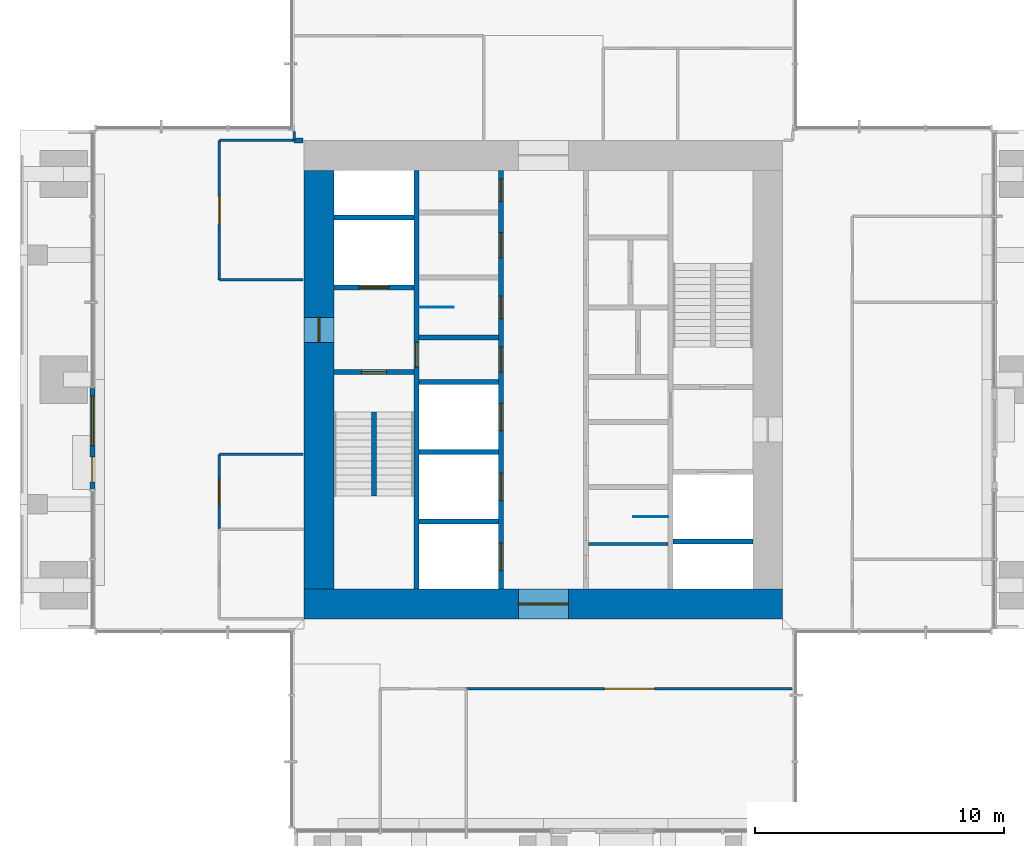
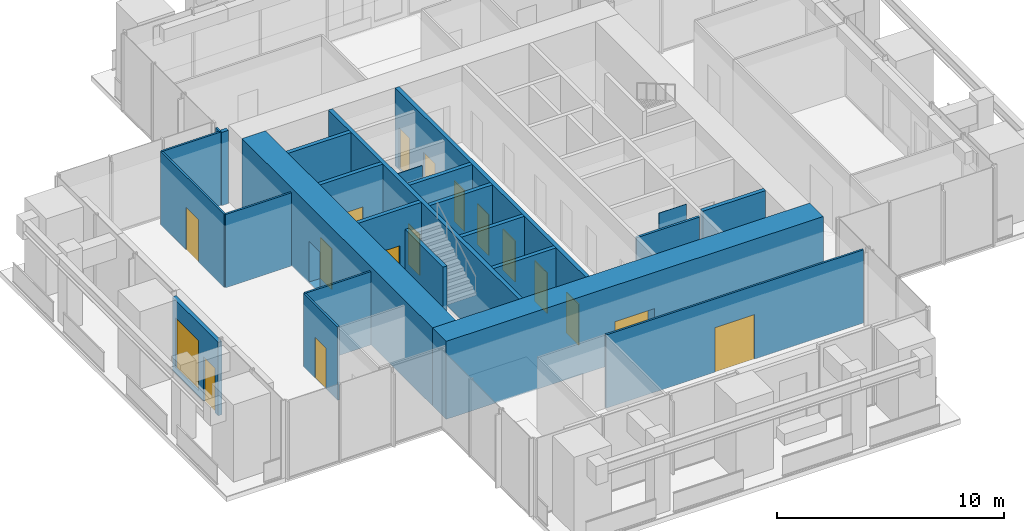
# One storey, part 7 of 12: 25 walls, 16 doors, 1 window, 17 openings.
"""IFC4 building model written with IfcOpenShell, lengths in metres."""

import ifcopenshell
import ifcopenshell.guid

model = None  # the IFC model being written
_history = None  # IfcOwnerHistory: only IFC2X3 demands one
_inside = {}  # id of a spatial element -> (the spatial element, [elements in it])
_under = {}  # id of a project, library or spatial element -> (it, [spatial elements below it])
_declared = {}  # id of a project -> (the project, [libraries it declares])
_typed = {}  # id of a type object -> (the type object, [elements of that type])
_made_of = {}  # id of a material, layer set ... -> (it, [elements and type objects made of it])


def new_model(schema):
    """Start an empty IFC model of exactly this schema.

    Asked for "IFC4X3", IfcOpenShell would pick the latest addendum, in which some entities
    have other attributes; the version numbers below select the first issue.
    IFC2X3 requires an IfcOwnerHistory on every rooted entity: one is made here for all.
    """
    global model, _history
    if schema == "IFC4X3":
        model = ifcopenshell.file(schema_version=(4, 3, 0, 0))
    else:
        model = ifcopenshell.file(schema=schema)
    _inside.clear()
    _under.clear()
    _declared.clear()
    _typed.clear()
    _made_of.clear()
    _history = None
    if model.schema == "IFC2X3":
        org = make("IfcOrganization", Name="unknown")
        user = make(
            "IfcPersonAndOrganization",
            ThePerson=make("IfcPerson", FamilyName="unknown"),
            TheOrganization=org,
        )
        app = make(
            "IfcApplication",
            ApplicationDeveloper=org,
            Version="unknown",
            ApplicationFullName="unknown",
            ApplicationIdentifier="unknown",
        )
        _history = make(
            "IfcOwnerHistory",
            OwningUser=user,
            OwningApplication=app,
            ChangeAction="ADDED",
            CreationDate=0,
        )
    return model


def make(cls, **values):
    """One entity of the class cls with the attributes given. An attribute that is None is left unset."""
    return model.create_entity(
        cls, **{name: value for name, value in values.items() if value is not None}
    )


def rooted(cls, **values):
    """An entity with a GlobalId (a new one), such as an element, a storey or a relation."""
    return make(cls, GlobalId=ifcopenshell.guid.new(), OwnerHistory=_history, **values)


def si_unit(unit_type, name, prefix=None):
    """IfcSIUnit, for example si_unit("LENGTHUNIT", "METRE", prefix="MILLI")."""
    return make("IfcSIUnit", UnitType=unit_type, Prefix=prefix, Name=name)


def assignment(units):
    """IfcUnitAssignment: the units of a project."""
    return None if units is None else make("IfcUnitAssignment", Units=units)


def point(xyz):
    """IfcCartesianPoint."""
    return None if xyz is None else make("IfcCartesianPoint", Coordinates=xyz)


def direction(xyz):
    """IfcDirection."""
    return None if xyz is None else make("IfcDirection", DirectionRatios=xyz)


def frame(location, z_axis=None, x_axis=None):
    """IfcAxis2Placement3D, a coordinate frame: its origin and axes. An axis left out is left unset."""
    return make(
        "IfcAxis2Placement3D",
        Location=point(location),
        Axis=direction(z_axis),
        RefDirection=direction(x_axis),
    )


def frame_2d(location, x_axis=None):
    """IfcAxis2Placement2D, a coordinate frame in the plane: its origin and x axis."""
    return make(
        "IfcAxis2Placement2D", Location=point(location), RefDirection=direction(x_axis)
    )


def origin():
    """The frame at (0, 0, 0) with its axes left unset."""
    return frame((0.0, 0.0, 0.0))


def place(relative_to, where):
    """IfcLocalPlacement: puts the frame where relative to a parent placement (None: the world)."""
    return make(
        "IfcLocalPlacement", PlacementRelTo=relative_to, RelativePlacement=where
    )


def context(
    kind, dimensions, precision=None, world=None, true_north=None, identifier=None
):
    """IfcGeometricRepresentationContext, for example the 3D "Model" context."""
    return make(
        "IfcGeometricRepresentationContext",
        ContextIdentifier=identifier,
        ContextType=kind,
        CoordinateSpaceDimension=dimensions,
        Precision=precision,
        WorldCoordinateSystem=world,
        TrueNorth=true_north,
    )


def subcontext(parent, identifier, kind, view, scale=None):
    """IfcGeometricRepresentationSubContext, for example "Body" below "Model"."""
    return make(
        "IfcGeometricRepresentationSubContext",
        ContextIdentifier=identifier,
        ContextType=kind,
        ParentContext=parent,
        TargetScale=scale,
        TargetView=view,
    )


def project(units=None, contexts=None):
    """IfcProject with its units and contexts."""
    return rooted(
        "IfcProject",
        Name="project",
        RepresentationContexts=contexts,
        UnitsInContext=assignment(units),
    )


def spatial(cls, under=None, at=None, **own):
    """A site, building, storey or space (cls), placed at a placement, below another one or the project."""
    s = rooted(cls, ObjectPlacement=at, **own)
    if under is not None:
        _under.setdefault(under.id(), (under, []))[1].append(s)
    return s


def profile(cls, at=None, kind="AREA", **sizes):
    """A parametric profile (cls). Its sizes go by their IFC names, for example OverallWidth=200.0."""
    return make(cls, ProfileType=kind, Position=at, **sizes)


def rectangle(**sizes):
    """IfcRectangleProfileDef."""
    return profile("IfcRectangleProfileDef", **sizes)


def extrude(swept, where, along, depth):
    """IfcExtrudedAreaSolid: the profile swept, set in the frame where, extruded along a direction by depth."""
    return make(
        "IfcExtrudedAreaSolid",
        SweptArea=swept,
        Position=where,
        ExtrudedDirection=direction(along),
        Depth=depth,
    )


def shape(context_of_items, identifier, shape_type, items):
    """IfcShapeRepresentation: the items that make up one representation, for example the "Body"."""
    return make(
        "IfcShapeRepresentation",
        ContextOfItems=context_of_items,
        RepresentationIdentifier=identifier,
        RepresentationType=shape_type,
        Items=items,
    )


def material(Name=None, Category=None):
    """IfcMaterial."""
    return make("IfcMaterial", Name=Name, Category=Category)


def layer(
    of_material, thickness, ventilated=None, Name=None, Category=None, Priority=None
):
    """IfcMaterialLayer: one layer of a wall or slab, of a material (None: an air gap)."""
    return make(
        "IfcMaterialLayer",
        Material=of_material,
        LayerThickness=thickness,
        IsVentilated=ventilated,
        Name=Name,
        Category=Category,
        Priority=Priority,
    )


def layer_set(layers, Name=None):
    """IfcMaterialLayerSet."""
    return make("IfcMaterialLayerSet", MaterialLayers=layers, LayerSetName=Name)


def made_of(thing, what):
    """Note that an element or type object is made of a material, layer set ...; save() writes the relation."""
    if what is not None:
        _made_of.setdefault(what.id(), (what, []))[1].append(thing)
    return thing


def type_object(cls, material=None, **own):
    """A type object (cls), such as IfcWallType, which elements share."""
    return made_of(rooted(cls, **own), material)


def element(
    cls,
    number,
    at=None,
    inside=None,
    cuts=None,
    type_object=None,
    material=None,
    context=None,
    identifier="Body",
    shape_type=None,
    held_by="IfcProductDefinitionShape",
    body=None,
    shapes=None,
    **own,
):
    """One element of the class cls, such as IfcWall. Its Tag is "e" and its number.

    at: its placement. inside: the storey or other place that contains it. cuts: it is an
    opening in that element (IfcRelVoidsElement). A single representation is given by context,
    identifier, shape_type and body (its items); several are given by shapes. held_by: the class
    of the entity that holds the representations. save() writes the other relations.
    """
    e = rooted(cls, Tag="e%d" % number, ObjectPlacement=at, **own)
    if body is not None:
        shapes = [shape(context, identifier, shape_type, body)]
    if shapes is not None:
        e.Representation = make(held_by, Representations=shapes)
    if inside is not None:
        _inside.setdefault(inside.id(), (inside, []))[1].append(e)
    if cuts is not None:
        rooted(
            "IfcRelVoidsElement", RelatingBuildingElement=cuts, RelatedOpeningElement=e
        )
    if type_object is not None:
        _typed.setdefault(type_object.id(), (type_object, []))[1].append(e)
    return made_of(e, material)


def fill(opening, filler):
    """IfcRelFillsElement: the door or window that sits in an opening."""
    return rooted(
        "IfcRelFillsElement",
        RelatingOpeningElement=opening,
        RelatedBuildingElement=filler,
    )


def aggregate(whole, parts):
    """IfcRelAggregates: a whole, such as a stair, and the parts it consists of."""
    return rooted("IfcRelAggregates", RelatingObject=whole, RelatedObjects=parts)


def save(model, path):
    """Write the relations noted so far, then the file.

    IfcRelAggregates (storeys below a building ...), IfcRelContainedInSpatialStructure (elements
    in a storey), IfcRelDefinesByType, IfcRelAssociatesMaterial and IfcRelDeclares: one each for
    every whole, place, type object, material and project.
    """
    for whole, parts in _under.values():
        aggregate(whole, parts)
    for where, things in _inside.values():
        rooted(
            "IfcRelContainedInSpatialStructure",
            RelatedElements=things,
            RelatingStructure=where,
        )
    for kind, things in _typed.values():
        rooted("IfcRelDefinesByType", RelatedObjects=things, RelatingType=kind)
    for what, things in _made_of.values():
        rooted("IfcRelAssociatesMaterial", RelatedObjects=things, RelatingMaterial=what)
    for by, libraries in _declared.values():
        rooted("IfcRelDeclares", RelatingContext=by, RelatedDefinitions=libraries)
    model.write(path)


model = new_model("IFC4")

# Units and contexts
model_context = context("Model", 3, precision=1e-05, world=origin(), true_north=direction((0.0, 1.0)))
body_context = subcontext(model_context, "Body", "Model", "MODEL_VIEW")
ifc_project = project(units=[si_unit("LENGTHUNIT", "METRE"), si_unit("AREAUNIT", "SQUARE_METRE"), si_unit("VOLUMEUNIT", "CUBIC_METRE"), si_unit("PLANEANGLEUNIT", "RADIAN"), si_unit("MASSUNIT", "GRAM", prefix="KILO")], contexts=[model_context])

# Site, building, storey
site_placement = place(None, origin())
site = spatial("IfcSite", under=ifc_project, at=site_placement, CompositionType="ELEMENT")
building_placement = place(site_placement, origin())
building = spatial("IfcBuilding", under=site, at=building_placement, Name="Svetlomir Tower", CompositionType="ELEMENT")
storey_placement = place(building_placement, frame((0.0, 0.0, 260.800048828125)))
storey = spatial("IfcBuildingStorey", under=building, at=storey_placement, Name="L62", CompositionType="ELEMENT", Elevation=260.800048828125)

# Wall
ifc_material_1 = material(Name="Gypsum board on twin steel studs", Category="steel")
ifc_layer_1 = layer(ifc_material_1, 0.199951171875)
ifc_layer_set_1 = layer_set([ifc_layer_1], Name="Gypsum board on twin steel studs")
wall_type_1 = type_object("IfcWallType", Name="ACOUSTIC PARTITION 200", PredefinedType="PARTITIONING", material=ifc_layer_set_1)
wall_1_placement = place(storey_placement, frame((11.0, 30.60009765625, 0.0), z_axis=(0.0, 0.0, 1.0), x_axis=(1.0, 0.0, 0.0)))
element("IfcWall", 1, at=wall_1_placement, inside=storey, type_object=wall_type_1, Name="Acoustic partition L62", PredefinedType="PARTITIONING", context=body_context, shape_type="SweptSolid", body=[
    extrude(rectangle(XDim=0.35009765625, YDim=0.199951171875, at=frame_2d((0.175048828125, 0.0))), origin(), (0.0, 0.0, 1.0), 3.949951171875),
])

# Wall, openings, door, window
ifc_material_2 = material(Name="Bronze anodised aluminium glazed screen", Category="aluminium")
ifc_layer_2 = layer(ifc_material_2, 0.199951171875)
ifc_layer_set_2 = layer_set([ifc_layer_2], Name="Bronze anodised aluminium glazed screen")
wall_type_2 = type_object("IfcWallType", Name="BALCONY SCREEN WALL 200", PredefinedType="USERDEFINED", material=ifc_layer_set_2)
wall_2_placement = place(storey_placement, frame((2.89990234375, 20.64990234375, 0.0), z_axis=(0.0, 0.0, 1.0), x_axis=(0.0, -1.0, 0.0)))
wall_2 = element("IfcWall", 2, at=wall_2_placement, inside=storey, type_object=wall_type_2, Name="Balcony screen W", ObjectType="GLAZED SCREEN", PredefinedType="USERDEFINED", context=body_context, shape_type="SweptSolid", body=[
    extrude(rectangle(XDim=4.0498046875, YDim=0.199951171875, at=frame_2d((2.02490234375, 0.0))), origin(), (0.0, 0.0, 1.0), 3.949951171875),
])
opening_1_placement = place(wall_2_placement, frame((2.75, 0.0, 0.0)))
opening_1 = element("IfcOpeningElement", 3, at=opening_1_placement, cuts=wall_2, Name="Opening BD", PredefinedType="OPENING", context=body_context, shape_type="SweptSolid", body=[
    extrude(rectangle(XDim=1.0, YDim=2.39990234375, at=frame_2d((0.5, 1.199951171875))), frame((0.0, 0.10986328125, 0.0), z_axis=(0.0, -1.0, 0.0), x_axis=(1.0, 0.0, 0.0)), (0.0, 0.0, 1.0), 0.219970703125),
])
opening_2_placement = place(wall_2_placement, frame((0.300048828125, 0.0, 0.300048828125)))
opening_2 = element("IfcOpeningElement", 4, at=opening_2_placement, cuts=wall_2, Name="Opening WS", PredefinedType="OPENING", context=body_context, shape_type="SweptSolid", body=[
    extrude(rectangle(XDim=2.0, YDim=2.699951171875, at=frame_2d((1.0, 1.35009765625))), frame((0.0, 0.10986328125, 0.0), z_axis=(0.0, -1.0, 0.0), x_axis=(1.0, 0.0, 0.0)), (0.0, 0.0, 1.0), 0.219970703125),
])
ifc_material_3 = material(Name="Bronze anodised aluminium glazed door", Category="aluminium")
door_type_1 = type_object("IfcDoorType", Name="BALCONY DOOR BD 1000x2400", OperationType="SINGLE_SWING_LEFT", PredefinedType="DOOR", material=ifc_material_3)
door_1_placement = place(opening_1_placement, origin())
door_1 = element("IfcDoor", 5, at=door_1_placement, inside=storey, type_object=door_type_1, Name="Balcony screen W door", OperationType="SINGLE_SWING_LEFT", OverallHeight=2.39990234375, OverallWidth=1.0, PredefinedType="DOOR", context=body_context, shape_type="SweptSolid", body=[
    extrude(rectangle(XDim=1.0, YDim=2.39990234375, at=frame_2d((0.5, 1.199951171875))), frame((0.0, 0.02490234375, 0.0), z_axis=(0.0, -1.0, 0.0), x_axis=(1.0, 0.0, 0.0)), (0.0, 0.0, 1.0), 0.050048828125),
])
fill(opening_1, door_1)
ifc_material_4 = material(Name="Bronze anodised aluminium window", Category="aluminium")
window_type = type_object("IfcWindowType", Name="SCREEN WINDOW WS 2000x2700", PartitioningType="SINGLE_PANEL", PredefinedType="WINDOW", material=ifc_material_4)
window_placement = place(opening_2_placement, origin())
window = element("IfcWindow", 6, at=window_placement, inside=storey, type_object=window_type, Name="Balcony screen W window 1", OverallHeight=2.699951171875, OverallWidth=2.0, PartitioningType="SINGLE_PANEL", PredefinedType="WINDOW", context=body_context, shape_type="SweptSolid", body=[
    extrude(rectangle(XDim=2.0, YDim=2.699951171875, at=frame_2d((1.0, 1.35009765625))), frame((0.0, 0.030029296875, 0.0), z_axis=(0.0, -1.0, 0.0), x_axis=(1.0, 0.0, 0.0)), (0.0, 0.0, 1.0), 0.06005859375),
])
fill(opening_2, window)

# Wall, opening, door
ifc_material_5 = material(Name="Concrete C60/75", Category="concrete")
ifc_layer_3 = layer(ifc_material_5, 0.199951171875)
ifc_layer_set_3 = layer_set([ifc_layer_3], Name="Concrete C60/75")
wall_type_3 = type_object("IfcWallType", Name="CORE INNER WALL 200", PredefinedType="SHEAR", material=ifc_layer_set_3)
wall_3_placement = place(storey_placement, frame((15.89990234375, 12.60009765625, -0.050048828125), z_axis=(0.0, 0.0, 1.0), x_axis=(0.0, 1.0, 0.0)))
wall_3 = element("IfcWall", 7, at=wall_3_placement, inside=storey, type_object=wall_type_3, Name="Core inner wall 15.9 L62", PredefinedType="SHEAR", context=body_context, shape_type="SweptSolid", body=[
    extrude(rectangle(XDim=16.7998046875, YDim=0.199951171875, at=frame_2d((8.39990234375, 0.0))), origin(), (0.0, 0.0, 1.0), 4.199951171875),
])
opening_3_placement = place(wall_3_placement, frame((8.89990234375, 0.0, 0.050048828125)))
opening_3 = element("IfcOpeningElement", 8, at=opening_3_placement, cuts=wall_3, Name="Opening DF", PredefinedType="OPENING", context=body_context, shape_type="SweptSolid", body=[
    extrude(rectangle(XDim=1.0, YDim=2.199951171875, at=frame_2d((0.5, 1.10009765625))), frame((0.0, 0.10986328125, 0.0), z_axis=(0.0, -1.0, 0.0), x_axis=(1.0, 0.0, 0.0)), (0.0, 0.0, 1.0), 0.219970703125),
])
ifc_material_6 = material(Name="Steel fire door", Category="steel")
door_type_2 = type_object("IfcDoorType", Name="DOOR DF 1000x2200", OperationType="SINGLE_SWING_LEFT", PredefinedType="DOOR", material=ifc_material_6)
door_2_placement = place(opening_3_placement, origin())
door_2 = element("IfcDoor", 9, at=door_2_placement, inside=storey, type_object=door_type_2, Name="Core corridor west door L62", OperationType="SINGLE_SWING_LEFT", OverallHeight=2.199951171875, OverallWidth=1.0, PredefinedType="DOOR", context=body_context, shape_type="SweptSolid", body=[
    extrude(rectangle(XDim=1.0, YDim=2.199951171875, at=frame_2d((0.5, 1.10009765625))), frame((0.0, 0.02490234375, 0.0), z_axis=(0.0, -1.0, 0.0), x_axis=(1.0, 0.0, 0.0)), (0.0, 0.0, 1.0), 0.050048828125),
])
fill(opening_3, door_2)

# Wall, openings, doors
wall_4_placement = place(storey_placement, frame((19.300048828125, 12.60009765625, -0.050048828125), z_axis=(0.0, 0.0, 1.0), x_axis=(0.0, 1.0, 0.0)))
wall_4 = element("IfcWall", 10, at=wall_4_placement, inside=storey, type_object=wall_type_3, Name="Core inner wall 19.3 L62", PredefinedType="SHEAR", context=body_context, shape_type="SweptSolid", body=[
    extrude(rectangle(XDim=16.7998046875, YDim=0.199951171875, at=frame_2d((8.39990234375, 0.0))), origin(), (0.0, 0.0, 1.0), 4.199951171875),
])
opening_4_placement = place(wall_4_placement, frame((8.699951171875, 0.0, 0.050048828125)))
opening_4 = element("IfcOpeningElement", 11, at=opening_4_placement, cuts=wall_4, Name="Opening DC", PredefinedType="OPENING", context=body_context, shape_type="SweptSolid", body=[
    extrude(rectangle(XDim=1.0, YDim=2.199951171875, at=frame_2d((0.5, 1.10009765625))), frame((0.0, 0.10986328125, 0.0), z_axis=(0.0, -1.0, 0.0), x_axis=(1.0, 0.0, 0.0)), (0.0, 0.0, 1.0), 0.219970703125),
])
opening_5_placement = place(wall_4_placement, frame((10.85009765625, 0.0, 0.050048828125)))
opening_5 = element("IfcOpeningElement", 12, at=opening_5_placement, cuts=wall_4, Name="Opening DW", PredefinedType="OPENING", context=body_context, shape_type="SweptSolid", body=[
    extrude(rectangle(XDim=0.89990234375, YDim=2.199951171875, at=frame_2d((0.449951171875, 1.10009765625))), frame((0.0, 0.10986328125, 0.0), z_axis=(0.0, -1.0, 0.0), x_axis=(1.0, 0.0, 0.0)), (0.0, 0.0, 1.0), 0.219970703125),
])
opening_6_placement = place(wall_4_placement, frame((13.300048828125, 0.0, 0.050048828125)))
opening_6 = element("IfcOpeningElement", 13, at=opening_6_placement, cuts=wall_4, Name="Opening DC", PredefinedType="OPENING", context=body_context, shape_type="SweptSolid", body=[
    extrude(rectangle(XDim=1.0, YDim=2.199951171875, at=frame_2d((0.5, 1.10009765625))), frame((0.0, 0.10986328125, 0.0), z_axis=(0.0, -1.0, 0.0), x_axis=(1.0, 0.0, 0.0)), (0.0, 0.0, 1.0), 0.219970703125),
])
opening_7_placement = place(wall_4_placement, frame((15.550048828125, 0.0, 0.050048828125)))
opening_7 = element("IfcOpeningElement", 14, at=opening_7_placement, cuts=wall_4, Name="Opening DW", PredefinedType="OPENING", context=body_context, shape_type="SweptSolid", body=[
    extrude(rectangle(XDim=0.89990234375, YDim=2.199951171875, at=frame_2d((0.449951171875, 1.10009765625))), frame((0.0, 0.10986328125, 0.0), z_axis=(0.0, -1.0, 0.0), x_axis=(1.0, 0.0, 0.0)), (0.0, 0.0, 1.0), 0.219970703125),
])
opening_8_placement = place(wall_4_placement, frame((0.75, 0.0, 0.050048828125)))
opening_8 = element("IfcOpeningElement", 15, at=opening_8_placement, cuts=wall_4, Name="Opening LD", PredefinedType="OPENING", context=body_context, shape_type="SweptSolid", body=[
    extrude(rectangle(XDim=1.10009765625, YDim=2.199951171875, at=frame_2d((0.550048828125, 1.10009765625))), frame((0.0, 0.10986328125, 0.0), z_axis=(0.0, -1.0, 0.0), x_axis=(1.0, 0.0, 0.0)), (0.0, 0.0, 1.0), 0.219970703125),
])
opening_9_placement = place(wall_4_placement, frame((3.550048828125, 0.0, 0.050048828125)))
opening_9 = element("IfcOpeningElement", 16, at=opening_9_placement, cuts=wall_4, Name="Opening LD", PredefinedType="OPENING", context=body_context, shape_type="SweptSolid", body=[
    extrude(rectangle(XDim=1.10009765625, YDim=2.199951171875, at=frame_2d((0.550048828125, 1.10009765625))), frame((0.0, 0.10986328125, 0.0), z_axis=(0.0, -1.0, 0.0), x_axis=(1.0, 0.0, 0.0)), (0.0, 0.0, 1.0), 0.219970703125),
])
opening_10_placement = place(wall_4_placement, frame((6.35009765625, 0.0, 0.050048828125)))
opening_10 = element("IfcOpeningElement", 17, at=opening_10_placement, cuts=wall_4, Name="Opening LD", PredefinedType="OPENING", context=body_context, shape_type="SweptSolid", body=[
    extrude(rectangle(XDim=1.10009765625, YDim=2.199951171875, at=frame_2d((0.550048828125, 1.10009765625))), frame((0.0, 0.10986328125, 0.0), z_axis=(0.0, -1.0, 0.0), x_axis=(1.0, 0.0, 0.0)), (0.0, 0.0, 1.0), 0.219970703125),
])
ifc_material_7 = material(Name="Timber fire door", Category="wood")
door_type_3 = type_object("IfcDoorType", Name="DOOR DC 1000x2200", OperationType="SINGLE_SWING_LEFT", PredefinedType="DOOR", material=ifc_material_7)
door_3_placement = place(opening_4_placement, origin())
door_3 = element("IfcDoor", 18, at=door_3_placement, inside=storey, type_object=door_type_3, Name="Core corridor west lobby door L62", OperationType="SINGLE_SWING_RIGHT", OverallHeight=2.199951171875, OverallWidth=1.0, PredefinedType="DOOR", context=body_context, shape_type="SweptSolid", body=[
    extrude(rectangle(XDim=1.0, YDim=2.199951171875, at=frame_2d((0.5, 1.10009765625))), frame((0.0, 0.02490234375, 0.0), z_axis=(0.0, -1.0, 0.0), x_axis=(1.0, 0.0, 0.0)), (0.0, 0.0, 1.0), 0.050048828125),
])
fill(opening_4, door_3)
door_4_placement = place(opening_6_placement, origin())
door_4 = element("IfcDoor", 19, at=door_4_placement, inside=storey, type_object=door_type_3, Name="Accessible WC door L62", OperationType="SINGLE_SWING_LEFT", OverallHeight=2.199951171875, OverallWidth=1.0, PredefinedType="DOOR", context=body_context, shape_type="SweptSolid", body=[
    extrude(rectangle(XDim=1.0, YDim=2.199951171875, at=frame_2d((0.5, 1.10009765625))), frame((0.0, 0.02490234375, 0.0), z_axis=(0.0, -1.0, 0.0), x_axis=(1.0, 0.0, 0.0)), (0.0, 0.0, 1.0), 0.050048828125),
])
fill(opening_6, door_4)
ifc_material_8 = material(Name="Timber fire door", Category="wood")
door_type_4 = type_object("IfcDoorType", Name="DOOR DW 900x2200", OperationType="SINGLE_SWING_LEFT", PredefinedType="DOOR", material=ifc_material_8)
door_5_placement = place(opening_5_placement, origin())
door_5 = element("IfcDoor", 20, at=door_5_placement, inside=storey, type_object=door_type_4, Name="Female WC door L62", OperationType="SINGLE_SWING_RIGHT", OverallHeight=2.199951171875, OverallWidth=0.89990234375, PredefinedType="DOOR", context=body_context, shape_type="SweptSolid", body=[
    extrude(rectangle(XDim=0.89990234375, YDim=2.199951171875, at=frame_2d((0.449951171875, 1.10009765625))), frame((0.0, 0.02490234375, 0.0), z_axis=(0.0, -1.0, 0.0), x_axis=(1.0, 0.0, 0.0)), (0.0, 0.0, 1.0), 0.050048828125),
])
fill(opening_5, door_5)
door_6_placement = place(opening_7_placement, origin())
door_6 = element("IfcDoor", 21, at=door_6_placement, inside=storey, type_object=door_type_4, Name="First aid room door L62", OperationType="SINGLE_SWING_RIGHT", OverallHeight=2.199951171875, OverallWidth=0.89990234375, PredefinedType="DOOR", context=body_context, shape_type="SweptSolid", body=[
    extrude(rectangle(XDim=0.89990234375, YDim=2.199951171875, at=frame_2d((0.449951171875, 1.10009765625))), frame((0.0, 0.02490234375, 0.0), z_axis=(0.0, -1.0, 0.0), x_axis=(1.0, 0.0, 0.0)), (0.0, 0.0, 1.0), 0.050048828125),
])
fill(opening_7, door_6)
ifc_material_9 = material(Name="Stainless steel landing door", Category="steel")
door_type_5 = type_object("IfcDoorType", Name="LIFT LANDING DOOR LD 1100x2200", OperationType="DOUBLE_DOOR_SLIDING", PredefinedType="DOOR", material=ifc_material_9)
door_7_placement = place(opening_8_placement, origin())
door_7 = element("IfcDoor", 22, at=door_7_placement, inside=storey, type_object=door_type_5, Name="Landing door lift LD1 L62", OperationType="DOUBLE_DOOR_SLIDING", OverallHeight=2.199951171875, OverallWidth=1.10009765625, PredefinedType="DOOR", context=body_context, shape_type="SweptSolid", body=[
    extrude(rectangle(XDim=1.10009765625, YDim=2.199951171875, at=frame_2d((0.550048828125, 1.10009765625))), frame((0.0, 0.02490234375, 0.0), z_axis=(0.0, -1.0, 0.0), x_axis=(1.0, 0.0, 0.0)), (0.0, 0.0, 1.0), 0.050048828125),
])
fill(opening_8, door_7)
door_8_placement = place(opening_9_placement, origin())
door_8 = element("IfcDoor", 23, at=door_8_placement, inside=storey, type_object=door_type_5, Name="Landing door lift LD2 L62", OperationType="DOUBLE_DOOR_SLIDING", OverallHeight=2.199951171875, OverallWidth=1.10009765625, PredefinedType="DOOR", context=body_context, shape_type="SweptSolid", body=[
    extrude(rectangle(XDim=1.10009765625, YDim=2.199951171875, at=frame_2d((0.550048828125, 1.10009765625))), frame((0.0, 0.02490234375, 0.0), z_axis=(0.0, -1.0, 0.0), x_axis=(1.0, 0.0, 0.0)), (0.0, 0.0, 1.0), 0.050048828125),
])
fill(opening_9, door_8)
door_9_placement = place(opening_10_placement, origin())
door_9 = element("IfcDoor", 24, at=door_9_placement, inside=storey, type_object=door_type_5, Name="Landing door lift LD3 L62", OperationType="DOUBLE_DOOR_SLIDING", OverallHeight=2.199951171875, OverallWidth=1.10009765625, PredefinedType="DOOR", context=body_context, shape_type="SweptSolid", body=[
    extrude(rectangle(XDim=1.10009765625, YDim=2.199951171875, at=frame_2d((0.550048828125, 1.10009765625))), frame((0.0, 0.02490234375, 0.0), z_axis=(0.0, -1.0, 0.0), x_axis=(1.0, 0.0, 0.0)), (0.0, 0.0, 1.0), 0.050048828125),
])
fill(opening_10, door_9)

# Wall, opening, door
wall_5_placement = place(storey_placement, frame((12.60009765625, 21.300048828125, -0.050048828125), z_axis=(0.0, 0.0, 1.0), x_axis=(1.0, 0.0, 0.0)))
wall_5 = element("IfcWall", 25, at=wall_5_placement, inside=storey, type_object=wall_type_3, Name="Core inner wall 12.6-15.8/21.3 L62", PredefinedType="SHEAR", context=body_context, shape_type="SweptSolid", body=[
    extrude(rectangle(XDim=3.199951171875, YDim=0.199951171875, at=frame_2d((1.60009765625, 0.0))), origin(), (0.0, 0.0, 1.0), 4.199951171875),
])
opening_11_placement = place(wall_5_placement, frame((1.10009765625, 0.0, 0.050048828125)))
opening_11 = element("IfcOpeningElement", 26, at=opening_11_placement, cuts=wall_5, Name="Opening DF", PredefinedType="OPENING", context=body_context, shape_type="SweptSolid", body=[
    extrude(rectangle(XDim=1.0, YDim=2.199951171875, at=frame_2d((0.5, 1.10009765625))), frame((0.0, 0.10986328125, 0.0), z_axis=(0.0, -1.0, 0.0), x_axis=(1.0, 0.0, 0.0)), (0.0, 0.0, 1.0), 0.219970703125),
])
door_10_placement = place(opening_11_placement, origin())
door_10 = element("IfcDoor", 27, at=door_10_placement, inside=storey, type_object=door_type_2, Name="Stair S1 door L62", OperationType="SINGLE_SWING_RIGHT", OverallHeight=2.199951171875, OverallWidth=1.0, PredefinedType="DOOR", context=body_context, shape_type="SweptSolid", body=[
    extrude(rectangle(XDim=1.0, YDim=2.199951171875, at=frame_2d((0.5, 1.10009765625))), frame((0.0, 0.02490234375, 0.0), z_axis=(0.0, -1.0, 0.0), x_axis=(1.0, 0.0, 0.0)), (0.0, 0.0, 1.0), 0.050048828125),
])
fill(opening_11, door_10)

wall_6_placement = place(storey_placement, frame((12.60009765625, 24.699951171875, -0.050048828125), z_axis=(0.0, 0.0, 1.0), x_axis=(1.0, 0.0, 0.0)))
wall_6 = element("IfcWall", 28, at=wall_6_placement, inside=storey, type_object=wall_type_3, Name="Core inner wall 12.6-15.8/24.7 L62", PredefinedType="SHEAR", context=body_context, shape_type="SweptSolid", body=[
    extrude(rectangle(XDim=3.199951171875, YDim=0.199951171875, at=frame_2d((1.60009765625, 0.0))), origin(), (0.0, 0.0, 1.0), 4.199951171875),
])
opening_12_placement = place(wall_6_placement, frame((1.0, 0.0, 0.050048828125)))
opening_12 = element("IfcOpeningElement", 29, at=opening_12_placement, cuts=wall_6, Name="Opening LD3", PredefinedType="OPENING", context=body_context, shape_type="SweptSolid", body=[
    extrude(rectangle(XDim=1.199951171875, YDim=2.199951171875, at=frame_2d((0.60009765625, 1.10009765625))), frame((0.0, 0.10986328125, 0.0), z_axis=(0.0, -1.0, 0.0), x_axis=(1.0, 0.0, 0.0)), (0.0, 0.0, 1.0), 0.219970703125),
])
ifc_material_10 = material(Name="Stainless steel fire-rated landing door", Category="steel")
door_type_6 = type_object("IfcDoorType", Name="FIREFIGHTING LIFT LANDING DOOR LD3 1200x2200", OperationType="DOUBLE_DOOR_SLIDING", PredefinedType="DOOR", material=ifc_material_10)
door_11_placement = place(opening_12_placement, origin())
door_11 = element("IfcDoor", 30, at=door_11_placement, inside=storey, type_object=door_type_6, Name="Landing door lift FL1 L62", OperationType="DOUBLE_DOOR_SLIDING", OverallHeight=2.199951171875, OverallWidth=1.199951171875, PredefinedType="DOOR", context=body_context, shape_type="SweptSolid", body=[
    extrude(rectangle(XDim=1.199951171875, YDim=2.199951171875, at=frame_2d((0.60009765625, 1.10009765625))), frame((0.0, 0.02490234375, 0.0), z_axis=(0.0, -1.0, 0.0), x_axis=(1.0, 0.0, 0.0)), (0.0, 0.0, 1.0), 0.050048828125),
])
fill(opening_12, door_11)

# Walls
for number, where, z_axis, x_axis, name in (
    (31, (12.60009765625, 27.5, -0.050048828125), (0.0, 0.0, 1.0), (1.0, 0.0, 0.0), "Core inner wall 12.6-15.8/27.5 L62"),
    (32, (16.0, 15.300048828125, -0.050048828125), (0.0, 0.0, 1.0), (1.0, 0.0, 0.0), "Core inner wall 16-19.2/15.3 L62"),
    (33, (16.0, 18.10009765625, -0.050048828125), (0.0, 0.0, 1.0), (1.0, 0.0, 0.0), "Core inner wall 16-19.2/18.1 L62"),
    (34, (16.0, 20.89990234375, -0.050048828125), (0.0, 0.0, 1.0), (1.0, 0.0, 0.0), "Core inner wall 16-19.2/20.9 L62"),
    (35, (16.0, 22.699951171875, -0.050048828125), (0.0, 0.0, 1.0), (1.0, 0.0, 0.0), "Core inner wall 16-19.2/22.7 L62"),
    (36, (26.199951171875, 14.5, -0.050048828125), (0.0, 0.0, 1.0), (1.0, 0.0, 0.0), "Core inner wall 26.2-29.4/14.5 L62"),
):
    element("IfcWall", number, at=place(storey_placement, frame(where, z_axis=z_axis, x_axis=x_axis)), inside=storey, type_object=wall_type_3, Name=name, PredefinedType="SHEAR", context=body_context, shape_type="SweptSolid", body=[
        extrude(rectangle(XDim=3.199951171875, YDim=0.199951171875, at=frame_2d((1.60009765625, 0.0))), origin(), (0.0, 0.0, 1.0), 4.199951171875),
    ])

# Wall, opening, door
ifc_material_11 = material(Name="Concrete C60/75", Category="concrete")
ifc_layer_4 = layer(ifc_material_11, 1.199951171875)
ifc_layer_set_4 = layer_set([ifc_layer_4], Name="Concrete C60/75")
wall_type_4 = type_object("IfcWallType", Name="CORE WALL 1200", PredefinedType="SHEAR", material=ifc_layer_set_4)
wall_7_placement = place(storey_placement, frame((11.39990234375, 12.0, -0.050048828125), z_axis=(0.0, 0.0, 1.0), x_axis=(1.0, 0.0, 0.0)))
wall_7 = element("IfcWall", 37, at=wall_7_placement, inside=storey, type_object=wall_type_4, Name="Core wall south L62", PredefinedType="SHEAR", context=body_context, shape_type="SweptSolid", body=[
    extrude(rectangle(XDim=19.2001953125, YDim=1.199951171875, at=frame_2d((9.60009765625, 0.0))), origin(), (0.0, 0.0, 1.0), 4.199951171875),
])
opening_13_placement = place(wall_7_placement, frame((8.60009765625, 0.0, 0.050048828125)))
opening_13 = element("IfcOpeningElement", 38, at=opening_13_placement, cuts=wall_7, Name="Opening DL", PredefinedType="OPENING", context=body_context, shape_type="SweptSolid", body=[
    extrude(rectangle(XDim=2.0, YDim=2.199951171875, at=frame_2d((1.0, 1.10009765625))), frame((0.0, 0.60986328125, 0.0), z_axis=(0.0, -1.0, 0.0), x_axis=(1.0, 0.0, 0.0)), (0.0, 0.0, 1.0), 1.219970703125),
])
ifc_material_12 = material(Name="Steel fire door", Category="steel")
door_type_7 = type_object("IfcDoorType", Name="DOOR DL 2000x2200", OperationType="DOUBLE_DOOR_SINGLE_SWING", PredefinedType="DOOR", material=ifc_material_12)
door_12_placement = place(opening_13_placement, origin())
door_12 = element("IfcDoor", 39, at=door_12_placement, inside=storey, type_object=door_type_7, Name="Lift lobby south door L62", OperationType="DOUBLE_DOOR_SINGLE_SWING", OverallHeight=2.199951171875, OverallWidth=2.0, PredefinedType="DOOR", context=body_context, shape_type="SweptSolid", body=[
    extrude(rectangle(XDim=2.0, YDim=2.199951171875, at=frame_2d((1.0, 1.10009765625))), frame((0.0, 0.02490234375, 0.0), z_axis=(0.0, -1.0, 0.0), x_axis=(1.0, 0.0, 0.0)), (0.0, 0.0, 1.0), 0.050048828125),
])
fill(opening_13, door_12)

wall_8_placement = place(storey_placement, frame((12.0, 12.60009765625, -0.050048828125), z_axis=(0.0, 0.0, 1.0), x_axis=(0.0, 1.0, 0.0)))
wall_8 = element("IfcWall", 40, at=wall_8_placement, inside=storey, type_object=wall_type_4, Name="Core wall west L62", PredefinedType="SHEAR", context=body_context, shape_type="SweptSolid", body=[
    extrude(rectangle(XDim=16.7998046875, YDim=1.199951171875, at=frame_2d((8.39990234375, 0.0))), origin(), (0.0, 0.0, 1.0), 4.199951171875),
])
opening_14_placement = place(wall_8_placement, frame((9.89990234375, 0.0, 0.050048828125)))
opening_14 = element("IfcOpeningElement", 41, at=opening_14_placement, cuts=wall_8, Name="Opening DF", PredefinedType="OPENING", context=body_context, shape_type="SweptSolid", body=[
    extrude(rectangle(XDim=1.0, YDim=2.199951171875, at=frame_2d((0.5, 1.10009765625))), frame((0.0, 0.60986328125, 0.0), z_axis=(0.0, -1.0, 0.0), x_axis=(1.0, 0.0, 0.0)), (0.0, 0.0, 1.0), 1.219970703125),
])
door_13_placement = place(opening_14_placement, origin())
door_13 = element("IfcDoor", 42, at=door_13_placement, inside=storey, type_object=door_type_2, Name="Firefighting lobby west door L62", OperationType="SINGLE_SWING_RIGHT", OverallHeight=2.199951171875, OverallWidth=1.0, PredefinedType="DOOR", context=body_context, shape_type="SweptSolid", body=[
    extrude(rectangle(XDim=1.0, YDim=2.199951171875, at=frame_2d((0.5, 1.10009765625))), frame((0.0, 0.02490234375, 0.0), z_axis=(0.0, -1.0, 0.0), x_axis=(1.0, 0.0, 0.0)), (0.0, 0.0, 1.0), 0.050048828125),
])
fill(opening_14, door_13)

ifc_material_13 = material(Name="Framed laminated glass partition", Category="glass")
ifc_layer_5 = layer(ifc_material_13, 0.10009765625)
ifc_layer_set_5 = layer_set([ifc_layer_5], Name="Framed laminated glass partition")
wall_type_5 = type_object("IfcWallType", Name="GLAZED PARTITION 100", PredefinedType="PARTITIONING", material=ifc_layer_set_5)
wall_9_placement = place(storey_placement, frame((8.0, 15.0, 0.0), z_axis=(0.0, 0.0, 1.0), x_axis=(0.0, 1.0, 0.0)))
wall_9 = element("IfcWall", 43, at=wall_9_placement, inside=storey, type_object=wall_type_5, Name="Glazed partition L62", PredefinedType="PARTITIONING", context=body_context, shape_type="SweptSolid", body=[
    extrude(rectangle(XDim=3.0, YDim=0.10009765625, at=frame_2d((1.5, 0.0))), origin(), (0.0, 0.0, 1.0), 3.949951171875),
])
opening_15_placement = place(wall_9_placement, frame((1.0, 0.0, 0.0)))
opening_15 = element("IfcOpeningElement", 44, at=opening_15_placement, cuts=wall_9, Name="Opening DR", PredefinedType="OPENING", context=body_context, shape_type="SweptSolid", body=[
    extrude(rectangle(XDim=1.0, YDim=2.199951171875, at=frame_2d((0.5, 1.10009765625))), frame((0.0, 0.06005859375, 0.0), z_axis=(0.0, -1.0, 0.0), x_axis=(1.0, 0.0, 0.0)), (0.0, 0.0, 1.0), 0.1201171875),
])
ifc_material_14 = material(Name="Timber door, glazed side light", Category="wood")
door_type_8 = type_object("IfcDoorType", Name="DOOR DR 1000x2200", OperationType="SINGLE_SWING_LEFT", PredefinedType="DOOR", material=ifc_material_14)
door_14_placement = place(opening_15_placement, origin())
door_14 = element("IfcDoor", 45, at=door_14_placement, inside=storey, type_object=door_type_8, Name="Focus room door L62", OperationType="SINGLE_SWING_LEFT", OverallHeight=2.199951171875, OverallWidth=1.0, PredefinedType="DOOR", context=body_context, shape_type="SweptSolid", body=[
    extrude(rectangle(XDim=1.0, YDim=2.199951171875, at=frame_2d((0.5, 1.10009765625))), frame((0.0, 0.02490234375, 0.0), z_axis=(0.0, -1.0, 0.0), x_axis=(1.0, 0.0, 0.0)), (0.0, 0.0, 1.0), 0.050048828125),
])
fill(opening_15, door_14)

# Wall
wall_10_placement = place(storey_placement, frame((8.0, 18.0, 0.0), z_axis=(0.0, 0.0, 1.0), x_axis=(1.0, 0.0, 0.0)))
element("IfcWall", 46, at=wall_10_placement, inside=storey, type_object=wall_type_5, Name="Glazed partition L62", PredefinedType="PARTITIONING", context=body_context, shape_type="SweptSolid", body=[
    extrude(rectangle(XDim=3.35009765625, YDim=0.10009765625, at=frame_2d((1.675048828125, 0.0))), origin(), (0.0, 0.0, 1.0), 3.949951171875),
])

# Wall, opening, door
wall_11_placement = place(storey_placement, frame((8.0, 25.0, 0.0), z_axis=(0.0, 0.0, 1.0), x_axis=(0.0, 1.0, 0.0)))
wall_11 = element("IfcWall", 47, at=wall_11_placement, inside=storey, type_object=wall_type_5, Name="Glazed partition L62", PredefinedType="PARTITIONING", context=body_context, shape_type="SweptSolid", body=[
    extrude(rectangle(XDim=5.60009765625, YDim=0.10009765625, at=frame_2d((2.800048828125, 0.0))), origin(), (0.0, 0.0, 1.0), 3.949951171875),
])
opening_16_placement = place(wall_11_placement, frame((2.25, 0.0, 0.0)))
opening_16 = element("IfcOpeningElement", 48, at=opening_16_placement, cuts=wall_11, Name="Opening DE", PredefinedType="OPENING", context=body_context, shape_type="SweptSolid", body=[
    extrude(rectangle(XDim=1.10009765625, YDim=2.300048828125, at=frame_2d((0.550048828125, 1.14990234375))), frame((0.0, 0.06005859375, 0.0), z_axis=(0.0, -1.0, 0.0), x_axis=(1.0, 0.0, 0.0)), (0.0, 0.0, 1.0), 0.1201171875),
])
ifc_material_15 = material(Name="Walnut veneered timber door", Category="wood")
door_type_9 = type_object("IfcDoorType", Name="DOOR DE 1100x2300", OperationType="SINGLE_SWING_LEFT", PredefinedType="DOOR", material=ifc_material_15)
door_15_placement = place(opening_16_placement, origin())
door_15 = element("IfcDoor", 49, at=door_15_placement, inside=storey, type_object=door_type_9, Name="Executive meeting room, 4 seats door L62", OperationType="SINGLE_SWING_RIGHT", OverallHeight=2.300048828125, OverallWidth=1.10009765625, PredefinedType="DOOR", context=body_context, shape_type="SweptSolid", body=[
    extrude(rectangle(XDim=1.10009765625, YDim=2.300048828125, at=frame_2d((0.550048828125, 1.14990234375))), frame((0.0, 0.02490234375, 0.0), z_axis=(0.0, -1.0, 0.0), x_axis=(1.0, 0.0, 0.0)), (0.0, 0.0, 1.0), 0.050048828125),
])
fill(opening_16, door_15)

# Walls
wall_12_placement = place(storey_placement, frame((8.0, 25.0, 0.0), z_axis=(0.0, 0.0, 1.0), x_axis=(1.0, 0.0, 0.0)))
element("IfcWall", 50, at=wall_12_placement, inside=storey, type_object=wall_type_5, Name="Glazed partition L62", PredefinedType="PARTITIONING", context=body_context, shape_type="SweptSolid", body=[
    extrude(rectangle(XDim=3.35009765625, YDim=0.10009765625, at=frame_2d((1.675048828125, 0.0))), origin(), (0.0, 0.0, 1.0), 3.949951171875),
])
wall_13_placement = place(storey_placement, frame((8.0, 30.60009765625, 0.0), z_axis=(0.0, 0.0, 1.0), x_axis=(1.0, 0.0, 0.0)))
element("IfcWall", 51, at=wall_13_placement, inside=storey, type_object=wall_type_5, Name="Glazed partition L62", PredefinedType="PARTITIONING", context=body_context, shape_type="SweptSolid", body=[
    extrude(rectangle(XDim=3.0, YDim=0.10009765625, at=frame_2d((1.5, 0.0))), origin(), (0.0, 0.0, 1.0), 3.949951171875),
])
wall_14_placement = place(storey_placement, frame((11.0, 30.60009765625, 0.0), z_axis=(0.0, 0.0, 1.0), x_axis=(0.0, 1.0, 0.0)))
element("IfcWall", 52, at=wall_14_placement, inside=storey, type_object=wall_type_5, Name="Glazed partition L62", PredefinedType="PARTITIONING", context=body_context, shape_type="SweptSolid", body=[
    extrude(rectangle(XDim=0.349853515625, YDim=0.10009765625, at=frame_2d((0.1748046875, 0.0))), origin(), (0.0, 0.0, 1.0), 3.949951171875),
])

# Wall, opening, door
wall_15_placement = place(storey_placement, frame((17.89990234375, 8.60009765625, 0.0), z_axis=(0.0, 0.0, 1.0), x_axis=(1.0, 0.0, 0.0)))
wall_15 = element("IfcWall", 53, at=wall_15_placement, inside=storey, type_object=wall_type_5, Name="Partition L62", PredefinedType="PARTITIONING", context=body_context, shape_type="SweptSolid", body=[
    extrude(rectangle(XDim=13.10009765625, YDim=0.10009765625, at=frame_2d((6.550048828125, 0.0))), origin(), (0.0, 0.0, 1.0), 3.949951171875),
])
opening_17_placement = place(wall_15_placement, frame((5.550048828125, 0.0, 0.0)))
opening_17 = element("IfcOpeningElement", 54, at=opening_17_placement, cuts=wall_15, Name="Opening DX", PredefinedType="OPENING", context=body_context, shape_type="SweptSolid", body=[
    extrude(rectangle(XDim=2.0, YDim=2.39990234375, at=frame_2d((1.0, 1.199951171875))), frame((0.0, 0.06005859375, 0.0), z_axis=(0.0, -1.0, 0.0), x_axis=(1.0, 0.0, 0.0)), (0.0, 0.0, 1.0), 0.1201171875),
])
ifc_material_16 = material(Name="Walnut veneered timber door", Category="wood")
door_type_10 = type_object("IfcDoorType", Name="DOUBLE DOOR DX 2000x2400", OperationType="DOUBLE_DOOR_SINGLE_SWING", PredefinedType="DOOR", material=ifc_material_16)
door_16_placement = place(opening_17_placement, origin())
door_16 = element("IfcDoor", 55, at=door_16_placement, inside=storey, type_object=door_type_10, Name="Board room, 24 seats door L62", OperationType="DOUBLE_DOOR_SINGLE_SWING", OverallHeight=2.39990234375, OverallWidth=2.0, PredefinedType="DOOR", context=body_context, shape_type="SweptSolid", body=[
    extrude(rectangle(XDim=2.0, YDim=2.39990234375, at=frame_2d((1.0, 1.199951171875))), frame((0.0, 0.02490234375, 0.0), z_axis=(0.0, -1.0, 0.0), x_axis=(1.0, 0.0, 0.0)), (0.0, 0.0, 1.0), 0.050048828125),
])
fill(opening_17, door_16)

# Walls
ifc_material_17 = material(Name="Gypsum board on steel studs", Category="steel")
ifc_layer_6 = layer(ifc_material_17, 0.1201171875)
ifc_layer_set_6 = layer_set([ifc_layer_6], Name="Gypsum board on steel studs")
wall_type_6 = type_object("IfcWallType", Name="PARTITION 120", PredefinedType="PARTITIONING", material=ifc_layer_set_6)
wall_16_placement = place(storey_placement, frame((22.800048828125, 14.39990234375, 0.0), z_axis=(0.0, 0.0, 1.0), x_axis=(1.0, 0.0, 0.0)))
element("IfcWall", 56, at=wall_16_placement, inside=storey, type_object=wall_type_6, Name="Floor store partition L62", PredefinedType="PARTITIONING", context=body_context, shape_type="SweptSolid", body=[
    extrude(rectangle(XDim=3.199951171875, YDim=0.1201171875, at=frame_2d((1.60009765625, 0.0))), origin(), (0.0, 0.0, 1.0), 3.949951171875),
])
ifc_material_18 = material(Name="Concrete C60/75", Category="concrete")
ifc_layer_7 = layer(ifc_material_18, 0.199951171875)
ifc_layer_set_7 = layer_set([ifc_layer_7], Name="Concrete C60/75")
wall_type_7 = type_object("IfcWallType", Name="STAIR SPINE WALL 200", PredefinedType="PARTITIONING", material=ifc_layer_set_7)
wall_17_placement = place(storey_placement, frame((14.199951171875, 16.340087890625, 0.0), z_axis=(0.0, 0.0, 1.0), x_axis=(0.0, 1.0, 0.0)))
element("IfcWall", 57, at=wall_17_placement, inside=storey, type_object=wall_type_7, Name="Stair S1 spine wall L62", PredefinedType="PARTITIONING", context=body_context, shape_type="SweptSolid", body=[
    extrude(rectangle(XDim=3.35986328125, YDim=0.199951171875, at=frame_2d((1.679931640625, 0.0))), origin(), (0.0, 0.0, 1.0), 4.199951171875),
])
ifc_material_19 = material(Name="Compact laminate panel", Category="plastic")
ifc_layer_8 = layer(ifc_material_19, 0.030029296875)
ifc_layer_set_8 = layer_set([ifc_layer_8], Name="Compact laminate panel")
wall_type_8 = type_object("IfcWallType", Name="WC CUBICLE PARTITION 30", PredefinedType="PARTITIONING", material=ifc_layer_set_8)
for number, where, z_axis, x_axis, name in (
    (58, (24.60009765625, 15.5, 0.0), (0.0, 0.0, 1.0), (1.0, 0.0, 0.0), "WC cubicle partition L62"),
    (59, (16.0, 23.89990234375, 0.0), (0.0, 0.0, 1.0), (1.0, 0.0, 0.0), "WC cubicle partition L62"),
):
    element("IfcWall", number, at=place(storey_placement, frame(where, z_axis=z_axis, x_axis=x_axis)), inside=storey, type_object=wall_type_8, Name=name, PredefinedType="PARTITIONING", context=body_context, shape_type="SweptSolid", body=[
        extrude(rectangle(XDim=1.39990234375, YDim=0.030029296875, at=frame_2d((0.699951171875, 0.0))), origin(), (0.0, 0.0, 1.0), 3.949951171875),
    ])

save(model, "model.ifc")
